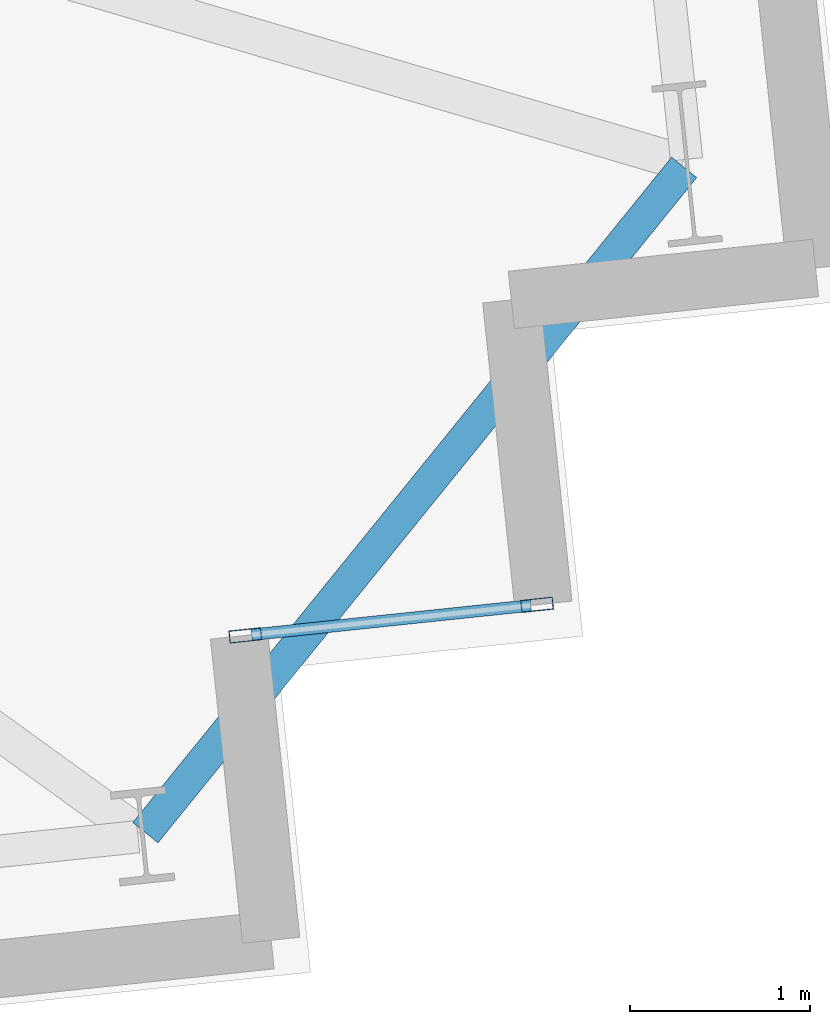
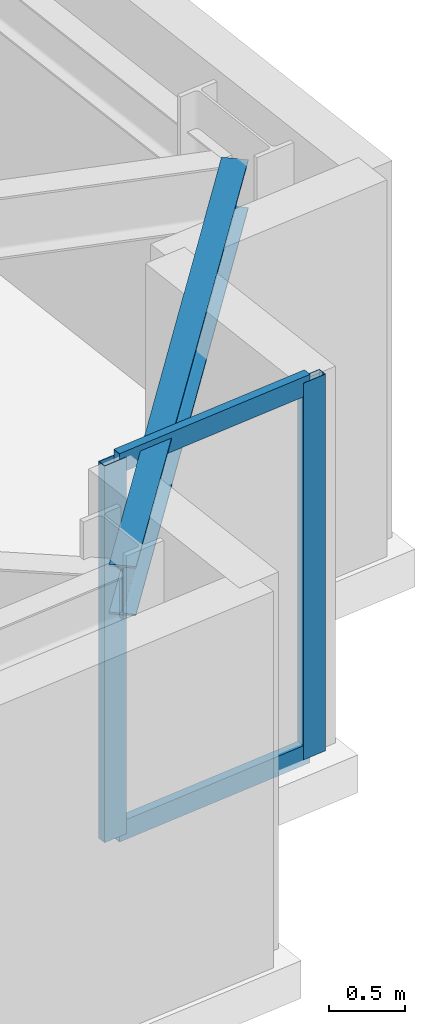
# One storey, part 6 of 20: 4 members, 1 beam, 1 element without a shape of its own.
"""IFC4 building model written with IfcOpenShell, lengths in metres."""

from ifc_helpers import new_model, si_unit, direction, frame, origin, origin_2d, place, context, subcontext, project, spatial, hollow_rectangle, i_section, extrude, material, layer, layer_set, material_profile, profile_set, type_object, element, aggregate, save


model = new_model("IFC4")

# Units and contexts
model_context = context("Model", 3, precision=1e-05, world=origin(), true_north=direction((0.0, 1.0)))
body_context = subcontext(model_context, "Body", "Model", "MODEL_VIEW")
ifc_project = project(units=[si_unit("LENGTHUNIT", "METRE"), si_unit("AREAUNIT", "SQUARE_METRE"), si_unit("VOLUMEUNIT", "CUBIC_METRE"), si_unit("PLANEANGLEUNIT", "RADIAN"), si_unit("MASSUNIT", "GRAM", prefix="KILO")], contexts=[model_context])

# Site, building, storey
site_placement = place(None, origin())
site = spatial("IfcSite", under=ifc_project, at=site_placement, CompositionType="ELEMENT")
building_placement = place(site_placement, origin())
building = spatial("IfcBuilding", under=site, at=building_placement, Name="Qobustan Lattice House", CompositionType="ELEMENT")
storey_placement = place(building_placement, frame((0.0, 0.0, 89.050048828125)))
storey = spatial("IfcBuildingStorey", under=building, at=storey_placement, Name="L24", CompositionType="ELEMENT", Elevation=89.050048828125)

# Beam
ifc_material_1 = material(Name="Steel S355", Category="steel")
ifc_material_profile_1 = material_profile(ifc_material_1, i_section(OverallWidth=0.179931640625, OverallDepth=0.39990234375, WebThickness=0.008544921875, FlangeThickness=0.013427734375, FilletRadius=0.02099609375, at=origin_2d()), Name="IPE400")
ifc_profile_set_1 = profile_set([ifc_material_profile_1], Name="Steel S355")
beam_type = type_object("IfcBeamType", Name="BM-SPD-IPE400", PredefinedType="SPANDREL", material=ifc_profile_set_1)
beam_placement = place(storey_placement, frame((29.608642578125, -13.3876953125, 2.844970703125), z_axis=(0.629351720588, 0.777120590252, 0.0), x_axis=(-0.777120590252, 0.629351720588, 0.0)))
element("IfcBeam", 1, at=beam_placement, inside=storey, type_object=beam_type, Name="L24 perimeter spandrel S7-E1", PredefinedType="SPANDREL", context=body_context, shape_type="SweptSolid", body=[
    extrude(i_section(OverallWidth=0.179931640625, OverallDepth=0.39990234375, WebThickness=0.008544921875, FlangeThickness=0.013427734375, FilletRadius=0.02099609375, at=origin_2d()), origin(), (0.0, 0.0, 1.0), 4.75830078125),
])

# Curtain wall, members
ifc_material_2 = material(Name="Anodised aluminium and low-E glazing", Category="aluminium")
ifc_layer = layer(ifc_material_2, 0.219970703125)
ifc_layer_set = layer_set([ifc_layer], Name="Anodised aluminium and low-E glazing")
curtain_wall_type = type_object("IfcCurtainWallType", Name="CW-FAC-01", PredefinedType="USERDEFINED", material=ifc_layer_set)
curtain_wall_placement = place(storey_placement, origin())
curtain_wall = element("IfcCurtainWall", 2, at=curtain_wall_placement, inside=storey, type_object=curtain_wall_type, Name="L24 serrated corner faceted glazing 18", ObjectType="CURTAIN WALL", PredefinedType="USERDEFINED")
ifc_material_3 = material(Name="Anodised aluminium EN AW-6063 T6", Category="aluminium")
ifc_material_profile_2 = material_profile(ifc_material_3, hollow_rectangle(XDim=0.070068359375, YDim=0.179931640625, WallThickness=0.00439453125, at=origin_2d()), Name="CWM-180x70")
ifc_profile_set_2 = profile_set([ifc_material_profile_2], Name="Anodised aluminium EN AW-6063 T6")
member_type_1 = type_object("IfcMemberType", Name="CWM-STD-180", PredefinedType="MULLION", material=ifc_profile_set_2)
member_1_placement = place(storey_placement, frame((31.785400390625, -12.12109375, 0.0), z_axis=(0.0, 0.0, 1.0), x_axis=(0.104528620025, -0.994521878892, 0.0)))
member_1 = element("IfcMember", 3, at=member_1_placement, type_object=member_type_1, Name="CW-F1 mullion 1", PredefinedType="MULLION", context=body_context, shape_type="SweptSolid", body=[
    extrude(hollow_rectangle(XDim=0.070068359375, YDim=0.179931640625, WallThickness=0.00439453125, at=origin_2d()), origin(), (0.0, 0.0, 1.0), 3.044921875),
])
member_2_placement = place(storey_placement, frame((30.164306640625, -12.29150390625, 0.0), z_axis=(0.0, 0.0, 1.0), x_axis=(0.104528620025, -0.994521878892, 0.0)))
member_2 = element("IfcMember", 4, at=member_2_placement, type_object=member_type_1, Name="CW-F1 mullion 2", PredefinedType="MULLION", context=body_context, shape_type="SweptSolid", body=[
    extrude(hollow_rectangle(XDim=0.070068359375, YDim=0.179931640625, WallThickness=0.00439453125, at=origin_2d()), origin(), (0.0, 0.0, 1.0), 3.044921875),
])
ifc_material_4 = material(Name="Anodised aluminium EN AW-6063 T6", Category="aluminium")
ifc_material_profile_3 = material_profile(ifc_material_4, hollow_rectangle(XDim=0.06494140625, YDim=0.159912109375, WallThickness=0.00390625, at=origin_2d()), Name="CWT-160x65")
ifc_profile_set_3 = profile_set([ifc_material_profile_3], Name="Anodised aluminium EN AW-6063 T6")
member_type_2 = type_object("IfcMemberType", Name="CWT-HOR-160", PredefinedType="USERDEFINED", material=ifc_profile_set_3)
member_3_placement = place(storey_placement, frame((31.750732421875, -12.124755859375, 0.032470703125), z_axis=(-0.994520877159, -0.104538150424, 0.0), x_axis=(0.104538150424, -0.994520877159, 0.0)))
member_3 = element("IfcMember", 5, at=member_3_placement, type_object=member_type_2, Name="CW-F1 transom 1.1", ObjectType="TRANSOM", PredefinedType="USERDEFINED", context=body_context, shape_type="SweptSolid", body=[
    extrude(hollow_rectangle(XDim=0.06494140625, YDim=0.159912109375, WallThickness=0.00390625, at=origin_2d()), origin(), (0.0, 0.0, 1.0), 1.56005859375),
])
member_4_placement = place(storey_placement, frame((31.750732421875, -12.124755859375, 3.012451171875), z_axis=(-0.994520877159, -0.104538150424, 0.0), x_axis=(0.104538150424, -0.994520877159, 0.0)))
member_4 = element("IfcMember", 6, at=member_4_placement, type_object=member_type_2, Name="CW-F1 transom 1.2", ObjectType="TRANSOM", PredefinedType="USERDEFINED", context=body_context, shape_type="SweptSolid", body=[
    extrude(hollow_rectangle(XDim=0.06494140625, YDim=0.159912109375, WallThickness=0.00390625, at=origin_2d()), origin(), (0.0, 0.0, 1.0), 1.56005859375),
])
aggregate(curtain_wall, [member_1, member_2, member_3, member_4])

save(model, "model.ifc")
